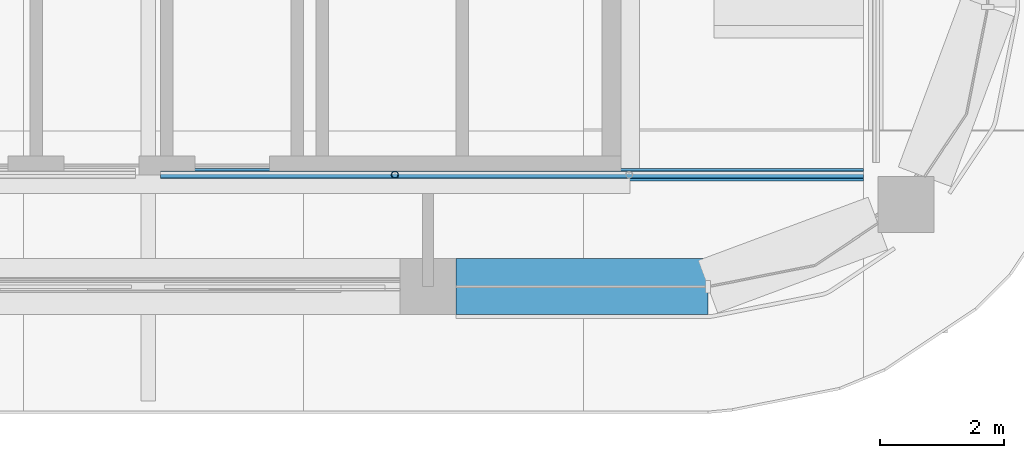
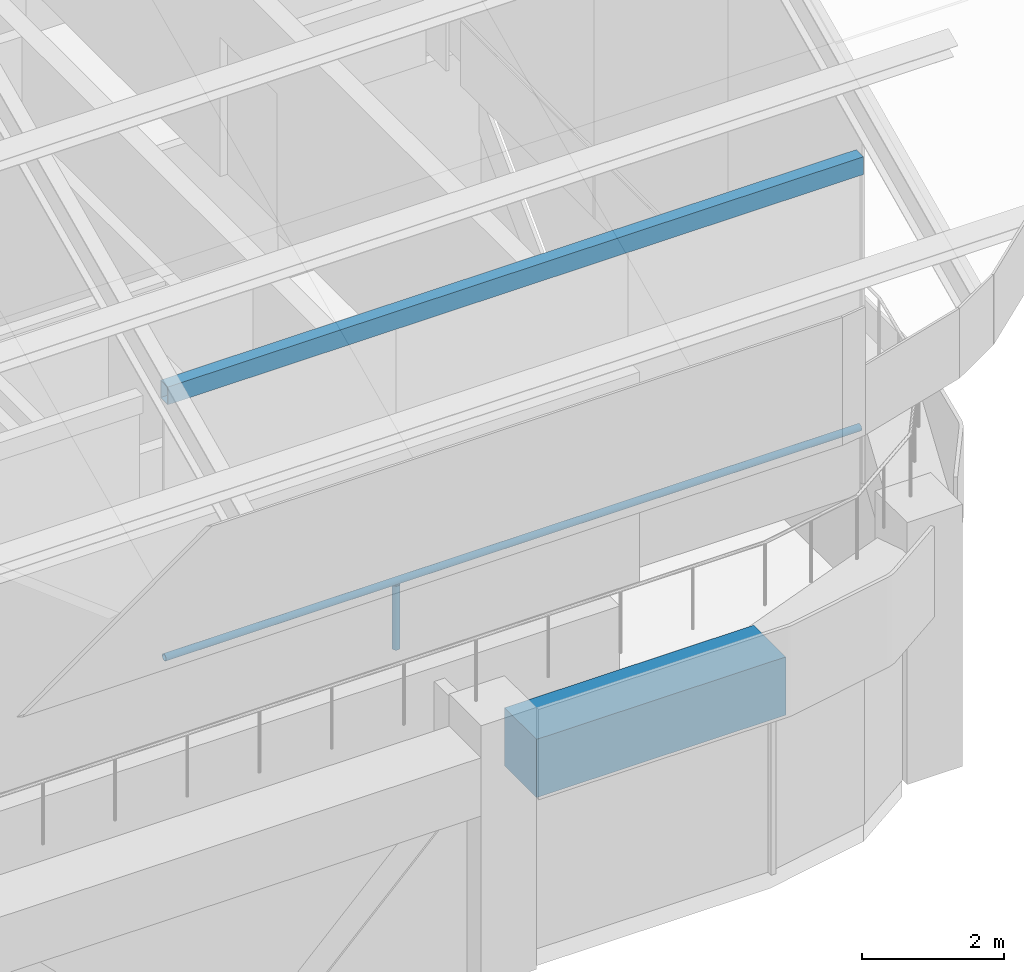
# One storey, part 13 of 31: 2 beams, 2 members.
"""IFC4 building model written with IfcOpenShell, lengths in metres."""

from ifc_helpers import new_model, si_unit, direction, frame, origin, origin_2d, place, context, subcontext, project, spatial, rectangle, hollow_rectangle, hollow_circle, extrude, material, material_profile, profile_set, type_object, element, save


model = new_model("IFC4")

# Units and contexts
model_context = context("Model", 3, precision=1e-05, world=origin(), true_north=direction((0.0, 1.0)))
body_context = subcontext(model_context, "Body", "Model", "MODEL_VIEW")
ifc_project = project(units=[si_unit("LENGTHUNIT", "METRE"), si_unit("AREAUNIT", "SQUARE_METRE"), si_unit("VOLUMEUNIT", "CUBIC_METRE"), si_unit("PLANEANGLEUNIT", "RADIAN"), si_unit("MASSUNIT", "GRAM", prefix="KILO")], contexts=[model_context])

# Site, building, storey
site_placement = place(None, origin())
site = spatial("IfcSite", under=ifc_project, at=site_placement, CompositionType="ELEMENT")
building_placement = place(site_placement, origin())
building = spatial("IfcBuilding", under=site, at=building_placement, Name="Tessera Arch", CompositionType="ELEMENT")
storey_placement = place(building_placement, frame((0.0, 0.0, 320.699951171875)))
storey = spatial("IfcBuildingStorey", under=building, at=storey_placement, Name="L77", CompositionType="ELEMENT", Elevation=320.699951171875)

# Member
ifc_material_1 = material(Name="Steel A500 Gr C", Category="steel")
ifc_material_profile_1 = material_profile(ifc_material_1, hollow_circle(Radius=0.056884765625, WallThickness=0.006103515625, at=origin_2d()), Name="Crown parapet post CHS114x6")
ifc_profile_set_1 = profile_set([ifc_material_profile_1], Name="Steel A500 Gr C")
member_type_1 = type_object("IfcMemberType", Name="Crown parapet post CHS114x6", PredefinedType="POST", material=ifc_profile_set_1)
member_1_placement = place(storey_placement, frame((44.466796875, 28.800048828125, 4.5), z_axis=(0.0, 0.0, 1.0), x_axis=(1.0, 0.0, 0.0)))
element("IfcMember", 1, at=member_1_placement, inside=storey, type_object=member_type_1, Name="CROWN parapet post S3-1", PredefinedType="POST", context=body_context, shape_type="SweptSolid", body=[
    extrude(hollow_circle(Radius=0.056884765625, WallThickness=0.006103515625, at=origin_2d()), origin(), (0.0, 0.0, 1.0), 1.10009765625),
])

# Beam
ifc_material_2 = material(Name="Steel A500 Gr C", Category="steel")
ifc_material_profile_2 = material_profile(ifc_material_2, hollow_rectangle(XDim=0.203125, YDim=0.3046875, WallThickness=0.0087890625, at=origin_2d()), Name="HSS12x8x3/8")
ifc_profile_set_2 = profile_set([ifc_material_profile_2], Name="Steel A500 Gr C")
beam_type_1 = type_object("IfcBeamType", Name="Crown ring beam HSS12x8x3/8", PredefinedType="BEAM", material=ifc_profile_set_2)
beam_1_placement = place(storey_placement, frame((40.699951171875, 28.800048828125, 10.208251953125), z_axis=(1.0, 0.0, 0.0), x_axis=(0.0, 1.0, 0.0)))
element("IfcBeam", 2, at=beam_1_placement, inside=storey, type_object=beam_type_1, Name="Crown ring beam S3", PredefinedType="BEAM", context=body_context, shape_type="SweptSolid", body=[
    extrude(hollow_rectangle(XDim=0.203125, YDim=0.3046875, WallThickness=0.0087890625, at=origin_2d()), origin(), (0.0, 0.0, 1.0), 11.300048828125),
])

# Member
ifc_material_3 = material(Name="Steel A500 Gr C", Category="steel")
ifc_material_profile_3 = material_profile(ifc_material_3, hollow_circle(Radius=0.056884765625, WallThickness=0.006103515625, at=origin_2d()), Name="Crown trellis rail CHS114x6")
ifc_profile_set_3 = profile_set([ifc_material_profile_3], Name="Steel A500 Gr C")
member_type_2 = type_object("IfcMemberType", Name="Crown trellis rail CHS114x6", PredefinedType="STRINGER", material=ifc_profile_set_3)
member_2_placement = place(storey_placement, frame((40.699951171875, 28.800048828125, 5.656982421875), z_axis=(1.0, 0.0, 0.0), x_axis=(0.0, 1.0, 0.0)))
element("IfcMember", 3, at=member_2_placement, inside=storey, type_object=member_type_2, Name="CROWN trellis rail S3", PredefinedType="STRINGER", context=body_context, shape_type="SweptSolid", body=[
    extrude(hollow_circle(Radius=0.056884765625, WallThickness=0.006103515625, at=origin_2d()), origin(), (0.0, 0.0, 1.0), 11.300048828125),
])

# Beam
ifc_material_4 = material(Name="Concrete C50/60", Category="concrete")
ifc_material_profile_4 = material_profile(ifc_material_4, rectangle(XDim=0.89990234375, YDim=1.0, at=origin_2d()), Name="RC spandrel beam 900 x 1000 Concrete C50/60")
ifc_profile_set_4 = profile_set([ifc_material_profile_4], Name="Concrete C50/60")
beam_type_2 = type_object("IfcBeamType", Name="RC spandrel beam 900 x 1000 Concrete C50/60", PredefinedType="BEAM", material=ifc_profile_set_4)
beam_2_placement = place(storey_placement, frame((45.449951171875, 27.0, 3.449951171875), z_axis=(1.0, 0.0, 0.0), x_axis=(0.0, 1.0, 0.0)))
element("IfcBeam", 4, at=beam_2_placement, inside=storey, type_object=beam_type_2, Name="Spandrel beam L77 S27.18/3.1", PredefinedType="BEAM", context=body_context, shape_type="SweptSolid", body=[
    extrude(rectangle(XDim=0.89990234375, YDim=1.0, at=origin_2d()), origin(), (0.0, 0.0, 1.0), 4.050048828125),
])

save(model, "model.ifc")
